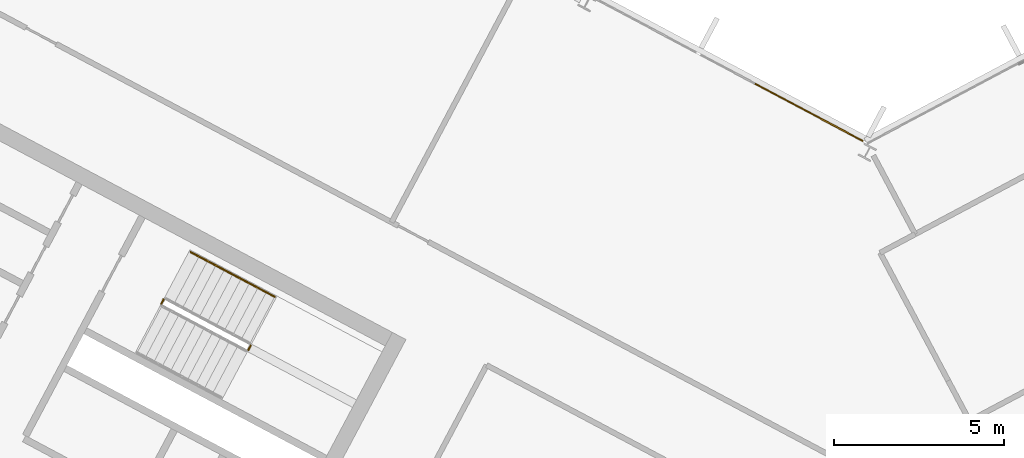
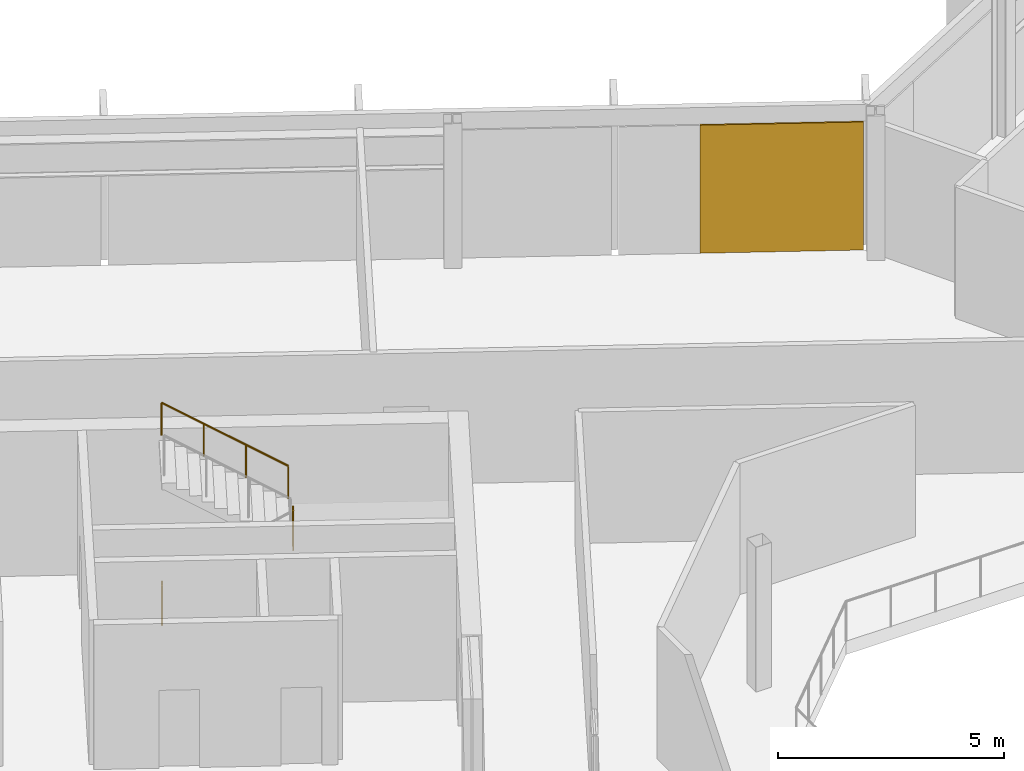
# One storey, part 22 of 25: 3 railings, 1 covering, 1 element without a shape of its own.
"""IFC4 building model written with IfcOpenShell, lengths in metres."""

import ifcopenshell
import ifcopenshell.guid

model = None  # the IFC model being written
_history = None  # IfcOwnerHistory: only IFC2X3 demands one
_inside = {}  # id of a spatial element -> (the spatial element, [elements in it])
_under = {}  # id of a project, library or spatial element -> (it, [spatial elements below it])
_declared = {}  # id of a project -> (the project, [libraries it declares])
_typed = {}  # id of a type object -> (the type object, [elements of that type])
_made_of = {}  # id of a material, layer set ... -> (it, [elements and type objects made of it])


def new_model(schema):
    """Start an empty IFC model of exactly this schema.

    Asked for "IFC4X3", IfcOpenShell would pick the latest addendum, in which some entities
    have other attributes; the version numbers below select the first issue.
    IFC2X3 requires an IfcOwnerHistory on every rooted entity: one is made here for all.
    """
    global model, _history
    if schema == "IFC4X3":
        model = ifcopenshell.file(schema_version=(4, 3, 0, 0))
    else:
        model = ifcopenshell.file(schema=schema)
    _inside.clear()
    _under.clear()
    _declared.clear()
    _typed.clear()
    _made_of.clear()
    _history = None
    if model.schema == "IFC2X3":
        org = make("IfcOrganization", Name="unknown")
        user = make(
            "IfcPersonAndOrganization",
            ThePerson=make("IfcPerson", FamilyName="unknown"),
            TheOrganization=org,
        )
        app = make(
            "IfcApplication",
            ApplicationDeveloper=org,
            Version="unknown",
            ApplicationFullName="unknown",
            ApplicationIdentifier="unknown",
        )
        _history = make(
            "IfcOwnerHistory",
            OwningUser=user,
            OwningApplication=app,
            ChangeAction="ADDED",
            CreationDate=0,
        )
    return model


def make(cls, **values):
    """One entity of the class cls with the attributes given. An attribute that is None is left unset."""
    return model.create_entity(
        cls, **{name: value for name, value in values.items() if value is not None}
    )


def rooted(cls, **values):
    """An entity with a GlobalId (a new one), such as an element, a storey or a relation."""
    return make(cls, GlobalId=ifcopenshell.guid.new(), OwnerHistory=_history, **values)


def si_unit(unit_type, name, prefix=None):
    """IfcSIUnit, for example si_unit("LENGTHUNIT", "METRE", prefix="MILLI")."""
    return make("IfcSIUnit", UnitType=unit_type, Prefix=prefix, Name=name)


def assignment(units):
    """IfcUnitAssignment: the units of a project."""
    return None if units is None else make("IfcUnitAssignment", Units=units)


def point(xyz):
    """IfcCartesianPoint."""
    return None if xyz is None else make("IfcCartesianPoint", Coordinates=xyz)


def direction(xyz):
    """IfcDirection."""
    return None if xyz is None else make("IfcDirection", DirectionRatios=xyz)


def frame(location, z_axis=None, x_axis=None):
    """IfcAxis2Placement3D, a coordinate frame: its origin and axes. An axis left out is left unset."""
    return make(
        "IfcAxis2Placement3D",
        Location=point(location),
        Axis=direction(z_axis),
        RefDirection=direction(x_axis),
    )


def frame_2d(location, x_axis=None):
    """IfcAxis2Placement2D, a coordinate frame in the plane: its origin and x axis."""
    return make(
        "IfcAxis2Placement2D", Location=point(location), RefDirection=direction(x_axis)
    )


def origin():
    """The frame at (0, 0, 0) with its axes left unset."""
    return frame((0.0, 0.0, 0.0))


def origin_2d():
    """The frame at (0, 0) in the plane with its x axis left unset."""
    return frame_2d((0.0, 0.0))


def place(relative_to, where):
    """IfcLocalPlacement: puts the frame where relative to a parent placement (None: the world)."""
    return make(
        "IfcLocalPlacement", PlacementRelTo=relative_to, RelativePlacement=where
    )


def context(
    kind, dimensions, precision=None, world=None, true_north=None, identifier=None
):
    """IfcGeometricRepresentationContext, for example the 3D "Model" context."""
    return make(
        "IfcGeometricRepresentationContext",
        ContextIdentifier=identifier,
        ContextType=kind,
        CoordinateSpaceDimension=dimensions,
        Precision=precision,
        WorldCoordinateSystem=world,
        TrueNorth=true_north,
    )


def subcontext(parent, identifier, kind, view, scale=None):
    """IfcGeometricRepresentationSubContext, for example "Body" below "Model"."""
    return make(
        "IfcGeometricRepresentationSubContext",
        ContextIdentifier=identifier,
        ContextType=kind,
        ParentContext=parent,
        TargetScale=scale,
        TargetView=view,
    )


def project(units=None, contexts=None):
    """IfcProject with its units and contexts."""
    return rooted(
        "IfcProject",
        Name="project",
        RepresentationContexts=contexts,
        UnitsInContext=assignment(units),
    )


def spatial(cls, under=None, at=None, **own):
    """A site, building, storey or space (cls), placed at a placement, below another one or the project."""
    s = rooted(cls, ObjectPlacement=at, **own)
    if under is not None:
        _under.setdefault(under.id(), (under, []))[1].append(s)
    return s


def polyline(points):
    """IfcPolyline through the points."""
    return make("IfcPolyline", Points=[point(p) for p in points])


def profile(cls, at=None, kind="AREA", **sizes):
    """A parametric profile (cls). Its sizes go by their IFC names, for example OverallWidth=200.0."""
    return make(cls, ProfileType=kind, Position=at, **sizes)


def rectangle(**sizes):
    """IfcRectangleProfileDef."""
    return profile("IfcRectangleProfileDef", **sizes)


def outline(outer, holes=None, kind="AREA"):
    """IfcArbitraryClosedProfileDef: a profile drawn as a closed curve; with holes, ...WithVoids."""
    if holes is None:
        return make("IfcArbitraryClosedProfileDef", ProfileType=kind, OuterCurve=outer)
    return make(
        "IfcArbitraryProfileDefWithVoids",
        ProfileType=kind,
        OuterCurve=outer,
        InnerCurves=holes,
    )


def extrude(swept, where, along, depth):
    """IfcExtrudedAreaSolid: the profile swept, set in the frame where, extruded along a direction by depth."""
    return make(
        "IfcExtrudedAreaSolid",
        SweptArea=swept,
        Position=where,
        ExtrudedDirection=direction(along),
        Depth=depth,
    )


def shape(context_of_items, identifier, shape_type, items):
    """IfcShapeRepresentation: the items that make up one representation, for example the "Body"."""
    return make(
        "IfcShapeRepresentation",
        ContextOfItems=context_of_items,
        RepresentationIdentifier=identifier,
        RepresentationType=shape_type,
        Items=items,
    )


def material(Name=None, Category=None):
    """IfcMaterial."""
    return make("IfcMaterial", Name=Name, Category=Category)


def layer(
    of_material, thickness, ventilated=None, Name=None, Category=None, Priority=None
):
    """IfcMaterialLayer: one layer of a wall or slab, of a material (None: an air gap)."""
    return make(
        "IfcMaterialLayer",
        Material=of_material,
        LayerThickness=thickness,
        IsVentilated=ventilated,
        Name=Name,
        Category=Category,
        Priority=Priority,
    )


def layer_set(layers, Name=None):
    """IfcMaterialLayerSet."""
    return make("IfcMaterialLayerSet", MaterialLayers=layers, LayerSetName=Name)


def made_of(thing, what):
    """Note that an element or type object is made of a material, layer set ...; save() writes the relation."""
    if what is not None:
        _made_of.setdefault(what.id(), (what, []))[1].append(thing)
    return thing


def type_object(cls, material=None, **own):
    """A type object (cls), such as IfcWallType, which elements share."""
    return made_of(rooted(cls, **own), material)


def element(
    cls,
    number,
    at=None,
    inside=None,
    cuts=None,
    type_object=None,
    material=None,
    context=None,
    identifier="Body",
    shape_type=None,
    held_by="IfcProductDefinitionShape",
    body=None,
    shapes=None,
    **own,
):
    """One element of the class cls, such as IfcWall. Its Tag is "e" and its number.

    at: its placement. inside: the storey or other place that contains it. cuts: it is an
    opening in that element (IfcRelVoidsElement). A single representation is given by context,
    identifier, shape_type and body (its items); several are given by shapes. held_by: the class
    of the entity that holds the representations. save() writes the other relations.
    """
    e = rooted(cls, Tag="e%d" % number, ObjectPlacement=at, **own)
    if body is not None:
        shapes = [shape(context, identifier, shape_type, body)]
    if shapes is not None:
        e.Representation = make(held_by, Representations=shapes)
    if inside is not None:
        _inside.setdefault(inside.id(), (inside, []))[1].append(e)
    if cuts is not None:
        rooted(
            "IfcRelVoidsElement", RelatingBuildingElement=cuts, RelatedOpeningElement=e
        )
    if type_object is not None:
        _typed.setdefault(type_object.id(), (type_object, []))[1].append(e)
    return made_of(e, material)


def aggregate(whole, parts):
    """IfcRelAggregates: a whole, such as a stair, and the parts it consists of."""
    return rooted("IfcRelAggregates", RelatingObject=whole, RelatedObjects=parts)


def save(model, path):
    """Write the relations noted so far, then the file.

    IfcRelAggregates (storeys below a building ...), IfcRelContainedInSpatialStructure (elements
    in a storey), IfcRelDefinesByType, IfcRelAssociatesMaterial and IfcRelDeclares: one each for
    every whole, place, type object, material and project.
    """
    for whole, parts in _under.values():
        aggregate(whole, parts)
    for where, things in _inside.values():
        rooted(
            "IfcRelContainedInSpatialStructure",
            RelatedElements=things,
            RelatingStructure=where,
        )
    for kind, things in _typed.values():
        rooted("IfcRelDefinesByType", RelatedObjects=things, RelatingType=kind)
    for what, things in _made_of.values():
        rooted("IfcRelAssociatesMaterial", RelatedObjects=things, RelatingMaterial=what)
    for by, libraries in _declared.values():
        rooted("IfcRelDeclares", RelatingContext=by, RelatedDefinitions=libraries)
    model.write(path)


model = new_model("IFC4")

# Units and contexts
model_context = context("Model", 3, precision=1e-05, world=origin(), true_north=direction((0.0, 1.0)))
body_context = subcontext(model_context, "Body", "Model", "MODEL_VIEW")
ifc_project = project(units=[si_unit("LENGTHUNIT", "METRE"), si_unit("AREAUNIT", "SQUARE_METRE"), si_unit("VOLUMEUNIT", "CUBIC_METRE"), si_unit("PLANEANGLEUNIT", "RADIAN"), si_unit("MASSUNIT", "GRAM", prefix="KILO")], contexts=[model_context])

# Site, building, storey
site_placement = place(None, origin())
site = spatial("IfcSite", under=ifc_project, at=site_placement, CompositionType="ELEMENT")
building_placement = place(site_placement, origin())
building = spatial("IfcBuilding", under=site, at=building_placement, Name="Cormorant Relay Tower", CompositionType="ELEMENT")
storey_placement = place(building_placement, frame((0.0, 0.0, 297.0)))
storey = spatial("IfcBuildingStorey", under=building, at=storey_placement, Name="L67", CompositionType="ELEMENT", Elevation=297.0)

# Curtain wall, covering
ifc_material_1 = material(Name="Aluminium 6063-T6 anodised bronze", Category="aluminium")
ifc_layer_1 = layer(ifc_material_1, 0.199951171875)
ifc_layer_set_1 = layer_set([ifc_layer_1], Name="CW1 unitised bronze curtain wall with vertical fins")
curtain_wall_type = type_object("IfcCurtainWallType", Name="CW1 unitised bronze curtain wall with vertical fins", PredefinedType="NOTDEFINED", material=ifc_layer_set_1)
curtain_wall_placement = place(storey_placement, origin())
curtain_wall = element("IfcCurtainWall", 1, at=curtain_wall_placement, inside=storey, type_object=curtain_wall_type, Name="CW1 curtain wall 9", PredefinedType="NOTDEFINED")
ifc_material_2 = material(Name="Pale bronze anodised aluminium insulated panel", Category="aluminium")
ifc_layer_2 = layer(ifc_material_2, 0.0400390625)
ifc_layer_set_2 = layer_set([ifc_layer_2], Name="CW1 pale bronze insulated panel 40")
covering_type = type_object("IfcCoveringType", Name="CW1 pale bronze insulated panel 40", PredefinedType="CLADDING", material=ifc_layer_set_2)
covering_placement = place(storey_placement, frame((-1.718505859375, 24.720458984375, 0.0), z_axis=(0.0, 0.0, 1.0), x_axis=(-0.882947592859, 0.469471562786, 0.0)))
covering = element("IfcCovering", 2, at=covering_placement, type_object=covering_type, Name="CW1 panel S00", PredefinedType="CLADDING", context=body_context, shape_type="SweptSolid", body=[
    extrude(rectangle(XDim=3.614013671875, YDim=0.0400390625, at=origin_2d()), origin(), (0.0, 0.0, 1.0), 3.449951171875),
])
aggregate(curtain_wall, [covering])

# Railings
ifc_material_3 = material(Name="Steel ASTM A572 Grade 50 (Fy 345 MPa)", Category="steel")
railing_type_1 = type_object("IfcRailingType", Name="Stair guard 1100", PredefinedType="GUARDRAIL", material=ifc_material_3)
railing_1_placement = place(storey_placement, frame((-18.210693359375, 17.72412109375, 1.949951171875)))
element("IfcRailing", 3, at=railing_1_placement, inside=storey, type_object=railing_type_1, Name="L67 A1 stair guard 2", PredefinedType="GUARDRAIL", context=body_context, shape_type="SweptSolid", body=[
    extrude(outline(polyline([(0.022216796875, 0.00927734375), (0.00927734375, 0.022216796875), (-0.00927734375, 0.022216796875), (-0.022216796875, 0.00927734375), (-0.022216796875, -0.00927734375), (-0.00927734375, -0.022216796875), (0.00927734375, -0.022216796875), (0.022216796875, -0.00927734375), (0.022216796875, 0.00927734375)])), frame((0.0, 0.0, 1.076171875), z_axis=(0.470503732759, 0.882398003998, 0.0), x_axis=(-0.882398003998, 0.470503732759, 0.0)), (0.0, 0.0, 1.0), 0.14990234375),
    extrude(outline(polyline([(0.019287109375, 0.008056640625), (0.008056640625, 0.019287109375), (-0.008056640625, 0.019287109375), (-0.019287109375, 0.008056640625), (-0.019287109375, -0.008056640625), (-0.008056640625, -0.019287109375), (0.008056640625, -0.019287109375), (0.019287109375, -0.008056640625), (0.019287109375, 0.008056640625)])), origin(), (0.0, 0.0, 1.0), 1.052001953125),
    extrude(outline(polyline([(0.019287109375, 0.008056640625), (0.008056640625, 0.019287109375), (-0.008056640625, 0.019287109375), (-0.019287109375, 0.008056640625), (-0.019287109375, -0.008056640625), (-0.008056640625, -0.019287109375), (0.008056640625, -0.019287109375), (0.019287109375, -0.008056640625), (0.019287109375, 0.008056640625)])), frame((0.070556640625, 0.13232421875, 0.0)), (0.0, 0.0, 1.0), 1.052001953125),
])
railing_2_placement = place(storey_placement, frame((-20.771240234375, 19.08544921875, 0.0)))
element("IfcRailing", 4, at=railing_2_placement, inside=storey, type_object=railing_type_1, Name="L67 A1 stair guard 4", PredefinedType="GUARDRAIL", context=body_context, shape_type="SweptSolid", body=[
    extrude(outline(polyline([(0.022216796875, 0.00927734375), (0.00927734375, 0.022216796875), (-0.00927734375, 0.022216796875), (-0.022216796875, 0.00927734375), (-0.022216796875, -0.00927734375), (-0.00927734375, -0.022216796875), (0.00927734375, -0.022216796875), (0.022216796875, -0.00927734375), (0.022216796875, 0.00927734375)])), frame((0.0, 0.0, 1.076171875), z_axis=(0.469828648786, 0.882757634224, 0.0), x_axis=(-0.882757634224, 0.469828648786, 0.0)), (0.0, 0.0, 1.0), 0.150146484375),
    extrude(outline(polyline([(0.019287109375, 0.008056640625), (0.008056640625, 0.019287109375), (-0.008056640625, 0.019287109375), (-0.019287109375, 0.008056640625), (-0.019287109375, -0.008056640625), (-0.008056640625, -0.019287109375), (0.008056640625, -0.019287109375), (0.019287109375, -0.008056640625), (0.019287109375, 0.008056640625)])), origin(), (0.0, 0.0, 1.0), 1.052001953125),
    extrude(outline(polyline([(0.019287109375, 0.008056640625), (0.008056640625, 0.019287109375), (-0.008056640625, 0.019287109375), (-0.019287109375, 0.008056640625), (-0.019287109375, -0.008056640625), (-0.008056640625, -0.019287109375), (0.008056640625, -0.019287109375), (0.019287109375, -0.008056640625), (0.019287109375, 0.008056640625)])), frame((0.070556640625, 0.132568359375, 0.0)), (0.0, 0.0, 1.0), 1.052001953125),
])
ifc_material_4 = material(Name="Steel ASTM A572 Grade 50 (Fy 345 MPa)", Category="steel")
railing_type_2 = type_object("IfcRailingType", Name="Stair handrail 900", PredefinedType="HANDRAIL", material=ifc_material_4)
railing_3_placement = place(storey_placement, frame((-17.433349609375, 19.292724609375, 2.127197265625)))
element("IfcRailing", 5, at=railing_3_placement, inside=storey, type_object=railing_type_2, Name="L67 A1 stair handrail 2", PredefinedType="HANDRAIL", context=body_context, shape_type="SweptSolid", body=[
    extrude(outline(polyline([(0.022216796875, 0.00927734375), (0.00927734375, 0.022216796875), (-0.00927734375, 0.022216796875), (-0.022216796875, 0.00927734375), (-0.022216796875, -0.00927734375), (-0.00927734375, -0.022216796875), (0.00927734375, -0.022216796875), (0.022216796875, -0.00927734375), (0.022216796875, 0.00927734375)])), frame((0.0, 0.0, 0.8759765625), z_axis=(-0.746001213114, 0.396649272309, 0.534931345884), x_axis=(-0.469465464807, -0.882950835185, 0.0)), (0.0, 0.0, 1.0), 3.31396484375),
    extrude(outline(polyline([(0.019287109375, 0.008056640625), (0.008056640625, 0.019287109375), (-0.008056640625, 0.019287109375), (-0.019287109375, 0.008056640625), (-0.019287109375, -0.008056640625), (-0.008056640625, -0.019287109375), (0.008056640625, -0.019287109375), (0.019287109375, -0.008056640625), (0.019287109375, 0.008056640625)])), origin(), (0.0, 0.0, 1.0), 0.851806640625),
    extrude(outline(polyline([(0.019287109375, 0.008056640625), (0.008056640625, 0.019287109375), (-0.008056640625, 0.019287109375), (-0.019287109375, 0.008056640625), (-0.019287109375, -0.008056640625), (-0.008056640625, -0.019287109375), (0.008056640625, -0.019287109375), (0.019287109375, -0.008056640625), (0.019287109375, 0.008056640625)])), frame((-0.823974609375, 0.438232421875, 0.5908203125)), (0.0, 0.0, 1.0), 0.851806640625),
    extrude(outline(polyline([(0.019287109375, 0.008056640625), (0.008056640625, 0.019287109375), (-0.008056640625, 0.019287109375), (-0.019287109375, 0.008056640625), (-0.019287109375, -0.008056640625), (-0.008056640625, -0.019287109375), (0.008056640625, -0.019287109375), (0.019287109375, -0.008056640625), (0.019287109375, 0.008056640625)])), frame((-1.648193359375, 0.876220703125, 1.181884765625)), (0.0, 0.0, 1.0), 0.851806640625),
    extrude(outline(polyline([(0.019287109375, 0.008056640625), (0.008056640625, 0.019287109375), (-0.008056640625, 0.019287109375), (-0.019287109375, 0.008056640625), (-0.019287109375, -0.008056640625), (-0.008056640625, -0.019287109375), (0.008056640625, -0.019287109375), (0.019287109375, -0.008056640625), (0.019287109375, 0.008056640625)])), frame((-2.47216796875, 1.314453125, 1.772705078125)), (0.0, 0.0, 1.0), 0.851806640625),
])

save(model, "model.ifc")
